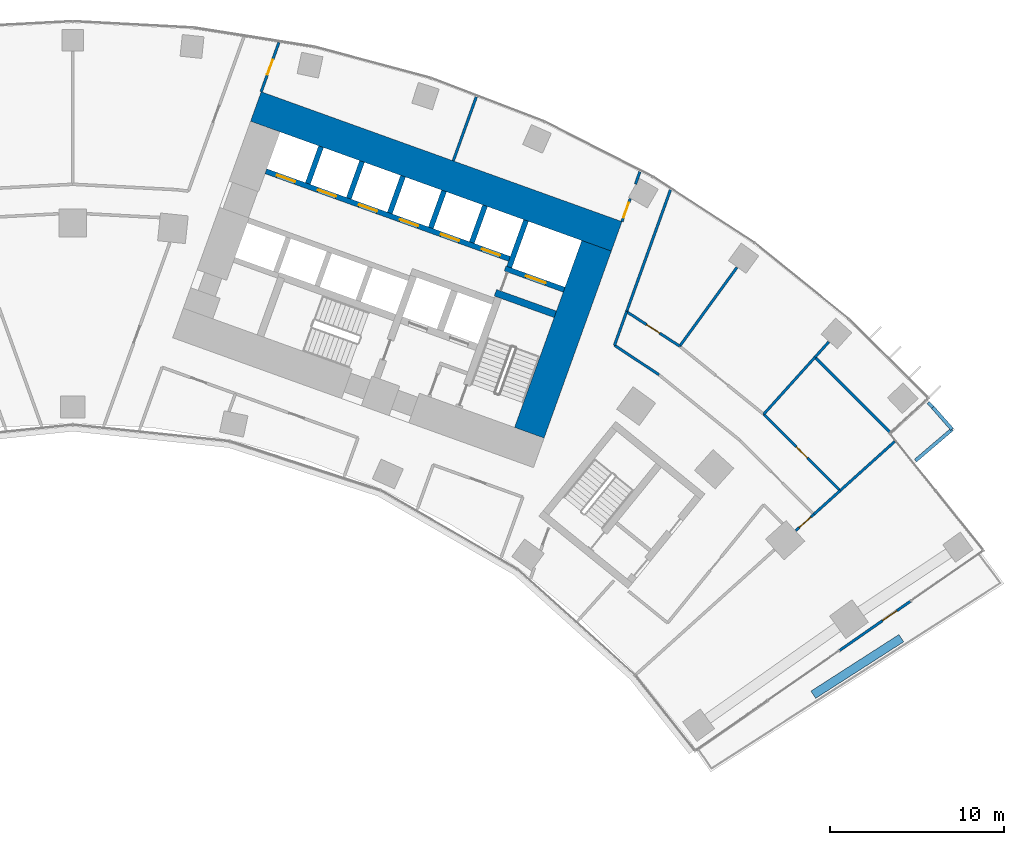
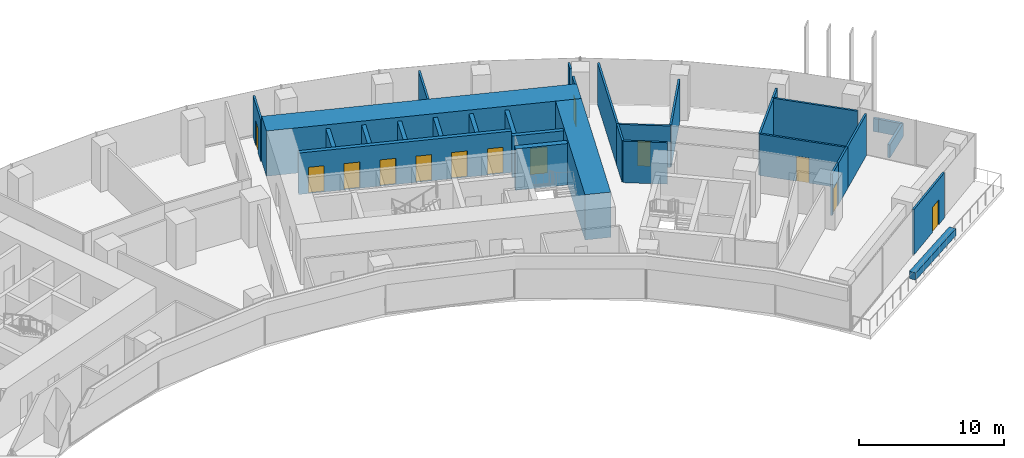
# One storey, part 18 of 21: 32 walls, 13 doors, 13 openings.
"""IFC4 building model written with IfcOpenShell, lengths in metres."""

from ifc_helpers import new_model, si_unit, direction, frame, frame_2d, origin, origin_2d, place, context, subcontext, project, spatial, rectangle, extrude, material, layer, layer_set, type_object, element, fill, save


model = new_model("IFC4")

# Units and contexts
model_context = context("Model", 3, precision=1e-05, world=origin(), true_north=direction((0.0, 1.0)))
body_context = subcontext(model_context, "Body", "Model", "MODEL_VIEW")
ifc_project = project(units=[si_unit("LENGTHUNIT", "METRE"), si_unit("AREAUNIT", "SQUARE_METRE"), si_unit("VOLUMEUNIT", "CUBIC_METRE"), si_unit("PLANEANGLEUNIT", "RADIAN"), si_unit("MASSUNIT", "GRAM", prefix="KILO")], contexts=[model_context])

# Site, building, storey
site_placement = place(None, origin())
site = spatial("IfcSite", under=ifc_project, at=site_placement, CompositionType="ELEMENT")
building_placement = place(site_placement, origin())
building = spatial("IfcBuilding", under=site, at=building_placement, Name="Stone Belt Terrace Tower", CompositionType="ELEMENT")
storey_placement = place(building_placement, frame((0.0, 0.0, 56.60009765625)))
storey = spatial("IfcBuildingStorey", under=building, at=storey_placement, Name="L13", CompositionType="ELEMENT", Elevation=56.60009765625)

# Wall, opening, door
ifc_material_1 = material(Name="Terracotta coloured glazed ceramic", Category="masonry")
ifc_layer_1 = layer(ifc_material_1, 0.14990234375)
ifc_layer_set_1 = layer_set([ifc_layer_1], Name="Ceramic rain-screen wall 150")
wall_type_1 = type_object("IfcWallType", Name="Ceramic rain-screen wall 150", PredefinedType="SOLIDWALL", material=ifc_layer_set_1)
wall_1_placement = place(storey_placement, frame((44.00537109375, 30.479248046875, 0.0), z_axis=(0.0, 0.0, 1.0), x_axis=(0.821283771249, 0.570519909454, 0.0)))
wall_1 = element("IfcWall", 1, at=wall_1_placement, inside=storey, type_object=wall_type_1, Name="Door wall L13", PredefinedType="SOLIDWALL", context=body_context, shape_type="SweptSolid", body=[
    extrude(rectangle(XDim=4.93994140625, YDim=0.14990234375, at=frame_2d((2.469970703125, 0.0))), origin(), (0.0, 0.0, 1.0), 3.7998046875),
])
opening_1_placement = place(wall_1_placement, frame((3.0, 0.0, 0.0)))
opening_1 = element("IfcOpeningElement", 2, at=opening_1_placement, cuts=wall_1, Name="Opening L13-E01", PredefinedType="OPENING", context=body_context, shape_type="SweptSolid", body=[
    extrude(rectangle(XDim=1.0, YDim=2.10009765625, at=frame_2d((0.5, 1.050048828125))), frame((0.0, 0.0849609375, 0.0), z_axis=(0.0, -1.0, 0.0), x_axis=(1.0, 0.0, 0.0)), (0.0, 0.0, 1.0), 0.169921875),
])
ifc_material_2 = material(Name="Anodised aluminium glazed door", Category="aluminium")
door_type_1 = type_object("IfcDoorType", Name="Terrace door 1000 x 2100", OperationType="NOTDEFINED", PredefinedType="DOOR", material=ifc_material_2)
door_1_placement = place(opening_1_placement, origin())
door_1 = element("IfcDoor", 3, at=door_1_placement, inside=storey, type_object=door_type_1, Name="Terrace door L13", OperationType="SINGLE_SWING_RIGHT", OverallHeight=2.10009765625, OverallWidth=1.0, PredefinedType="DOOR", context=body_context, shape_type="SweptSolid", body=[
    extrude(rectangle(XDim=1.0, YDim=2.10009765625, at=frame_2d((0.5, 1.050048828125))), frame((0.0, 0.02490234375, 0.0), z_axis=(0.0, -1.0, 0.0), x_axis=(1.0, 0.0, 0.0)), (0.0, 0.0, 1.0), 0.050048828125),
])
fill(opening_1, door_1)

# Walls
ifc_material_3 = material(Name="Concrete B80", Category="concrete")
ifc_layer_2 = layer(ifc_material_3, 1.800048828125)
ifc_layer_set_2 = layer_set([ifc_layer_2], Name="Core wall 1800 B80")
wall_type_2 = type_object("IfcWallType", Name="Core wall 1800 B80", PredefinedType="SHEAR", material=ifc_layer_set_2)
wall_2_placement = place(storey_placement, frame((10.509033203125, 61.685546875, 0.0), z_axis=(0.0, 0.0, 1.0), x_axis=(0.940922914687, -0.338620833112, 0.0)))
element("IfcWall", 4, at=wall_2_placement, inside=storey, type_object=wall_type_2, Name="Core B wall convex L13", PredefinedType="SHEAR", context=body_context, shape_type="SweptSolid", body=[
    extrude(rectangle(XDim=22.000244140625, YDim=1.800048828125, at=frame_2d((11.0, 0.0))), origin(), (0.0, 0.0, 1.0), 3.7998046875),
])
wall_3_placement = place(storey_placement, frame((26.197509765625, 42.96728515625, 0.0), z_axis=(0.0, 0.0, 1.0), x_axis=(0.338625431531, 0.940921259788, 0.0)))
element("IfcWall", 5, at=wall_3_placement, inside=storey, type_object=wall_type_2, Name="Core B wall end_b L13", PredefinedType="SHEAR", context=body_context, shape_type="SweptSolid", body=[
    extrude(rectangle(XDim=11.400146484375, YDim=1.800048828125, at=frame_2d((5.7001953125, 0.0))), origin(), (0.0, 0.0, 1.0), 3.7998046875),
])

# Wall, opening, door
ifc_layer_3 = layer(ifc_material_3, 0.300048828125)
ifc_layer_set_3 = layer_set([ifc_layer_3], Name="Lift shaft wall 300")
wall_type_3 = type_object("IfcWallType", Name="Lift shaft wall 300", PredefinedType="SHEAR", material=ifc_layer_set_3)
wall_4_placement = place(storey_placement, frame((28.195068359375, 51.17578125, 0.0), z_axis=(0.0, 0.0, 1.0), x_axis=(-0.940901243567, 0.338681044427, 0.0)))
wall_4 = element("IfcWall", 6, at=wall_4_placement, inside=storey, type_object=wall_type_3, Name="Core B wall", PredefinedType="SHEAR", context=body_context, shape_type="SweptSolid", body=[
    extrude(rectangle(XDim=3.599853515625, YDim=0.300048828125, at=frame_2d((1.7998046875, 0.0))), origin(), (0.0, 0.0, 1.0), 3.47998046875),
])
opening_2_placement = place(wall_4_placement, frame((1.1201171875, 0.0, 0.0)))
opening_2 = element("IfcOpeningElement", 7, at=opening_2_placement, cuts=wall_4, Name="Opening L13-LD18", PredefinedType="OPENING", context=body_context, shape_type="SweptSolid", body=[
    extrude(rectangle(XDim=1.199951171875, YDim=2.199951171875, at=frame_2d((0.60009765625, 1.10009765625))), frame((0.0, 0.159912109375, 0.0), z_axis=(0.0, -1.0, 0.0), x_axis=(1.0, 0.0, 0.0)), (0.0, 0.0, 1.0), 0.320068359375),
])
ifc_material_4 = material(Name="Stainless steel door leaf", Category="steel")
door_type_2 = type_object("IfcDoorType", Name="Landing door 1200", OperationType="SLIDING_TO_LEFT", PredefinedType="DOOR", material=ifc_material_4)
door_2_placement = place(opening_2_placement, origin())
door_2 = element("IfcDoor", 8, at=door_2_placement, inside=storey, type_object=door_type_2, Name="Landing door SV1 core B", OperationType="SLIDING_TO_LEFT", OverallHeight=2.199951171875, OverallWidth=1.199951171875, PredefinedType="DOOR", context=body_context, shape_type="SweptSolid", body=[
    extrude(rectangle(XDim=1.199951171875, YDim=2.199951171875, at=frame_2d((0.60009765625, 1.10009765625))), frame((0.0, 0.02490234375, 0.0), z_axis=(0.0, -1.0, 0.0), x_axis=(1.0, 0.0, 0.0)), (0.0, 0.0, 1.0), 0.050048828125),
])
fill(opening_2, door_2)

# Wall
wall_5_placement = place(storey_placement, frame((25.046875, 52.46826171875, 0.0), z_axis=(0.0, 0.0, 1.0), x_axis=(0.338549588058, 0.940948551423, 0.0)))
element("IfcWall", 9, at=wall_5_placement, inside=storey, type_object=wall_type_3, Name="Core B wall", PredefinedType="SHEAR", context=body_context, shape_type="SweptSolid", body=[
    extrude(rectangle(XDim=2.849853515625, YDim=0.300048828125, at=frame_2d((1.4248046875, 0.0))), origin(), (0.0, 0.0, 1.0), 3.47998046875),
])

# Wall, openings, doors
wall_6_placement = place(storey_placement, frame((25.05810546875, 52.9423828125, 0.0), z_axis=(0.0, 0.0, 1.0), x_axis=(-0.940918215764, 0.338633889685, 0.0)))
wall_6 = element("IfcWall", 10, at=wall_6_placement, inside=storey, type_object=wall_type_3, Name="Core B wall", PredefinedType="SHEAR", context=body_context, shape_type="SweptSolid", body=[
    extrude(rectangle(XDim=14.850341796875, YDim=0.300048828125, at=frame_2d((7.42529296875, 0.0))), origin(), (0.0, 0.0, 1.0), 3.47998046875),
])
opening_3_placement = place(wall_6_placement, frame((0.570068359375, 0.0, 0.0)))
opening_3 = element("IfcOpeningElement", 11, at=opening_3_placement, cuts=wall_6, Name="Opening L13-LD10", PredefinedType="OPENING", context=body_context, shape_type="SweptSolid", body=[
    extrude(rectangle(XDim=1.10009765625, YDim=2.199951171875, at=frame_2d((0.550048828125, 1.10009765625))), frame((0.0, 0.159912109375, 0.0), z_axis=(0.0, -1.0, 0.0), x_axis=(1.0, 0.0, 0.0)), (0.0, 0.0, 1.0), 0.320068359375),
])
opening_4_placement = place(wall_6_placement, frame((3.070068359375, 0.0, 0.0)))
opening_4 = element("IfcOpeningElement", 12, at=opening_4_placement, cuts=wall_6, Name="Opening L13-LD11", PredefinedType="OPENING", context=body_context, shape_type="SweptSolid", body=[
    extrude(rectangle(XDim=1.10009765625, YDim=2.199951171875, at=frame_2d((0.550048828125, 1.10009765625))), frame((0.0, 0.159912109375, 0.0), z_axis=(0.0, -1.0, 0.0), x_axis=(1.0, 0.0, 0.0)), (0.0, 0.0, 1.0), 0.320068359375),
])
opening_5_placement = place(wall_6_placement, frame((5.570068359375, 0.0, 0.0)))
opening_5 = element("IfcOpeningElement", 13, at=opening_5_placement, cuts=wall_6, Name="Opening L13-LD12", PredefinedType="OPENING", context=body_context, shape_type="SweptSolid", body=[
    extrude(rectangle(XDim=1.10009765625, YDim=2.199951171875, at=frame_2d((0.550048828125, 1.10009765625))), frame((0.0, 0.159912109375, 0.0), z_axis=(0.0, -1.0, 0.0), x_axis=(1.0, 0.0, 0.0)), (0.0, 0.0, 1.0), 0.320068359375),
])
opening_6_placement = place(wall_6_placement, frame((8.070068359375, 0.0, 0.0)))
opening_6 = element("IfcOpeningElement", 14, at=opening_6_placement, cuts=wall_6, Name="Opening L13-LD13", PredefinedType="OPENING", context=body_context, shape_type="SweptSolid", body=[
    extrude(rectangle(XDim=1.10009765625, YDim=2.199951171875, at=frame_2d((0.550048828125, 1.10009765625))), frame((0.0, 0.159912109375, 0.0), z_axis=(0.0, -1.0, 0.0), x_axis=(1.0, 0.0, 0.0)), (0.0, 0.0, 1.0), 0.320068359375),
])
opening_7_placement = place(wall_6_placement, frame((10.570068359375, 0.0, 0.0)))
opening_7 = element("IfcOpeningElement", 15, at=opening_7_placement, cuts=wall_6, Name="Opening L13-LD14", PredefinedType="OPENING", context=body_context, shape_type="SweptSolid", body=[
    extrude(rectangle(XDim=1.10009765625, YDim=2.199951171875, at=frame_2d((0.550048828125, 1.10009765625))), frame((0.0, 0.159912109375, 0.0), z_axis=(0.0, -1.0, 0.0), x_axis=(1.0, 0.0, 0.0)), (0.0, 0.0, 1.0), 0.320068359375),
])
opening_8_placement = place(wall_6_placement, frame((13.070068359375, 0.0, 0.0)))
opening_8 = element("IfcOpeningElement", 16, at=opening_8_placement, cuts=wall_6, Name="Opening L13-LD15", PredefinedType="OPENING", context=body_context, shape_type="SweptSolid", body=[
    extrude(rectangle(XDim=1.10009765625, YDim=2.199951171875, at=frame_2d((0.550048828125, 1.10009765625))), frame((0.0, 0.159912109375, 0.0), z_axis=(0.0, -1.0, 0.0), x_axis=(1.0, 0.0, 0.0)), (0.0, 0.0, 1.0), 0.320068359375),
])
door_type_3 = type_object("IfcDoorType", Name="Landing door 1100", OperationType="SLIDING_TO_LEFT", PredefinedType="DOOR", material=ifc_material_4)
door_3_placement = place(opening_3_placement, origin())
door_3 = element("IfcDoor", 17, at=door_3_placement, inside=storey, type_object=door_type_3, Name="Landing door LR1 core B", OperationType="SLIDING_TO_LEFT", OverallHeight=2.199951171875, OverallWidth=1.10009765625, PredefinedType="DOOR", context=body_context, shape_type="SweptSolid", body=[
    extrude(rectangle(XDim=1.10009765625, YDim=2.199951171875, at=frame_2d((0.550048828125, 1.10009765625))), frame((0.0, 0.02490234375, 0.0), z_axis=(0.0, -1.0, 0.0), x_axis=(1.0, 0.0, 0.0)), (0.0, 0.0, 1.0), 0.050048828125),
])
fill(opening_3, door_3)
door_4_placement = place(opening_4_placement, origin())
door_4 = element("IfcDoor", 18, at=door_4_placement, inside=storey, type_object=door_type_3, Name="Landing door LR2 core B", OperationType="SLIDING_TO_LEFT", OverallHeight=2.199951171875, OverallWidth=1.10009765625, PredefinedType="DOOR", context=body_context, shape_type="SweptSolid", body=[
    extrude(rectangle(XDim=1.10009765625, YDim=2.199951171875, at=frame_2d((0.550048828125, 1.10009765625))), frame((0.0, 0.02490234375, 0.0), z_axis=(0.0, -1.0, 0.0), x_axis=(1.0, 0.0, 0.0)), (0.0, 0.0, 1.0), 0.050048828125),
])
fill(opening_4, door_4)
door_5_placement = place(opening_5_placement, origin())
door_5 = element("IfcDoor", 19, at=door_5_placement, inside=storey, type_object=door_type_3, Name="Landing door LR3 core B", OperationType="SLIDING_TO_LEFT", OverallHeight=2.199951171875, OverallWidth=1.10009765625, PredefinedType="DOOR", context=body_context, shape_type="SweptSolid", body=[
    extrude(rectangle(XDim=1.10009765625, YDim=2.199951171875, at=frame_2d((0.550048828125, 1.10009765625))), frame((0.0, 0.02490234375, 0.0), z_axis=(0.0, -1.0, 0.0), x_axis=(1.0, 0.0, 0.0)), (0.0, 0.0, 1.0), 0.050048828125),
])
fill(opening_5, door_5)
door_6_placement = place(opening_6_placement, origin())
door_6 = element("IfcDoor", 20, at=door_6_placement, inside=storey, type_object=door_type_3, Name="Landing door LR4 core B", OperationType="SLIDING_TO_LEFT", OverallHeight=2.199951171875, OverallWidth=1.10009765625, PredefinedType="DOOR", context=body_context, shape_type="SweptSolid", body=[
    extrude(rectangle(XDim=1.10009765625, YDim=2.199951171875, at=frame_2d((0.550048828125, 1.10009765625))), frame((0.0, 0.02490234375, 0.0), z_axis=(0.0, -1.0, 0.0), x_axis=(1.0, 0.0, 0.0)), (0.0, 0.0, 1.0), 0.050048828125),
])
fill(opening_6, door_6)
door_7_placement = place(opening_7_placement, origin())
door_7 = element("IfcDoor", 21, at=door_7_placement, inside=storey, type_object=door_type_3, Name="Landing door LR5 core B", OperationType="SLIDING_TO_LEFT", OverallHeight=2.199951171875, OverallWidth=1.10009765625, PredefinedType="DOOR", context=body_context, shape_type="SweptSolid", body=[
    extrude(rectangle(XDim=1.10009765625, YDim=2.199951171875, at=frame_2d((0.550048828125, 1.10009765625))), frame((0.0, 0.02490234375, 0.0), z_axis=(0.0, -1.0, 0.0), x_axis=(1.0, 0.0, 0.0)), (0.0, 0.0, 1.0), 0.050048828125),
])
fill(opening_7, door_7)
door_8_placement = place(opening_8_placement, origin())
door_8 = element("IfcDoor", 22, at=door_8_placement, inside=storey, type_object=door_type_3, Name="Landing door LR6 core B", OperationType="SLIDING_TO_LEFT", OverallHeight=2.199951171875, OverallWidth=1.10009765625, PredefinedType="DOOR", context=body_context, shape_type="SweptSolid", body=[
    extrude(rectangle(XDim=1.10009765625, YDim=2.199951171875, at=frame_2d((0.550048828125, 1.10009765625))), frame((0.0, 0.02490234375, 0.0), z_axis=(0.0, -1.0, 0.0), x_axis=(1.0, 0.0, 0.0)), (0.0, 0.0, 1.0), 0.050048828125),
])
fill(opening_8, door_8)

# Walls
wall_7_placement = place(storey_placement, frame((22.897705078125, 53.87939453125, 0.0), z_axis=(0.0, 0.0, 1.0), x_axis=(0.338535034312, 0.940953787677, 0.0)))
element("IfcWall", 23, at=wall_7_placement, inside=storey, type_object=wall_type_3, Name="Core B wall", PredefinedType="SHEAR", context=body_context, shape_type="SweptSolid", body=[
    extrude(rectangle(XDim=2.25, YDim=0.300048828125, at=frame_2d((1.125, 0.0))), origin(), (0.0, 0.0, 1.0), 3.47998046875),
])
wall_8_placement = place(storey_placement, frame((20.54541015625, 54.72607421875, 0.0), z_axis=(0.0, 0.0, 1.0), x_axis=(0.338569601369, 0.940941350472, 0.0)))
element("IfcWall", 24, at=wall_8_placement, inside=storey, type_object=wall_type_3, Name="Core B wall", PredefinedType="SHEAR", context=body_context, shape_type="SweptSolid", body=[
    extrude(rectangle(XDim=2.249755859375, YDim=0.300048828125, at=frame_2d((1.125, 0.0))), origin(), (0.0, 0.0, 1.0), 3.47998046875),
])
wall_9_placement = place(storey_placement, frame((18.193115234375, 55.572509765625, 0.0), z_axis=(0.0, 0.0, 1.0), x_axis=(0.338535034312, 0.940953787677, 0.0)))
element("IfcWall", 25, at=wall_9_placement, inside=storey, type_object=wall_type_3, Name="Core B wall", PredefinedType="SHEAR", context=body_context, shape_type="SweptSolid", body=[
    extrude(rectangle(XDim=2.25, YDim=0.300048828125, at=frame_2d((1.125, 0.0))), origin(), (0.0, 0.0, 1.0), 3.47998046875),
])
wall_10_placement = place(storey_placement, frame((15.8408203125, 56.419189453125, 0.0), z_axis=(0.0, 0.0, 1.0), x_axis=(0.338569601369, 0.940941350472, 0.0)))
element("IfcWall", 26, at=wall_10_placement, inside=storey, type_object=wall_type_3, Name="Core B wall", PredefinedType="SHEAR", context=body_context, shape_type="SweptSolid", body=[
    extrude(rectangle(XDim=2.249755859375, YDim=0.300048828125, at=frame_2d((1.125, 0.0))), origin(), (0.0, 0.0, 1.0), 3.47998046875),
])
wall_11_placement = place(storey_placement, frame((13.48828125, 57.265625, 0.0), z_axis=(0.0, 0.0, 1.0), x_axis=(0.338631098537, 0.940919220286, 0.0)))
element("IfcWall", 27, at=wall_11_placement, inside=storey, type_object=wall_type_3, Name="Core B wall", PredefinedType="SHEAR", context=body_context, shape_type="SweptSolid", body=[
    extrude(rectangle(XDim=2.250244140625, YDim=0.300048828125, at=frame_2d((1.125, 0.0))), origin(), (0.0, 0.0, 1.0), 3.47998046875),
])

# Wall, opening, door
ifc_material_5 = material(Name="Gypsum board partition")
ifc_layer_4 = layer(ifc_material_5, 0.14990234375)
ifc_layer_set_4 = layer_set([ifc_layer_4], Name="PARTITION 150 EI 60")
wall_type_4 = type_object("IfcWallType", Name="PARTITION 150 EI 60", PredefinedType="PARTITIONING", material=ifc_layer_set_4)
wall_12_placement = place(storey_placement, frame((11.831787109375, 65.361083984375, 0.0), z_axis=(0.0, 0.0, 1.0), x_axis=(-0.338526810165, -0.940956746508, 0.0)))
wall_12 = element("IfcWall", 28, at=wall_12_placement, inside=storey, type_object=wall_type_4, Name="L13/wall/i020", PredefinedType="PARTITIONING", context=body_context, shape_type="SweptSolid", body=[
    extrude(rectangle(XDim=3.006591796875, YDim=0.14990234375, at=frame_2d((1.50341796875, 0.0))), origin(), (0.0, 0.0, 1.0), 3.47998046875),
])
opening_9_placement = place(wall_12_placement, frame((1.05322265625, 0.0, 0.0)))
opening_9 = element("IfcOpeningElement", 29, at=opening_9_placement, cuts=wall_12, Name="Opening D-A4-10", PredefinedType="OPENING", context=body_context, shape_type="SweptSolid", body=[
    extrude(rectangle(XDim=0.89990234375, YDim=2.10009765625, at=frame_2d((0.449951171875, 1.050048828125))), frame((0.0, 0.0849609375, 0.0), z_axis=(0.0, -1.0, 0.0), x_axis=(1.0, 0.0, 0.0)), (0.0, 0.0, 1.0), 0.169921875),
])
ifc_material_6 = material(Name="Timber door leaf", Category="wood")
door_type_4 = type_object("IfcDoorType", Name="OFFICE DOOR 900 X 2100", OperationType="NOTDEFINED", PredefinedType="DOOR", material=ifc_material_6)
door_9_placement = place(opening_9_placement, origin())
door_9 = element("IfcDoor", 30, at=door_9_placement, inside=storey, type_object=door_type_4, Name="L13/door/i10", OperationType="SINGLE_SWING_RIGHT", OverallHeight=2.10009765625, OverallWidth=0.89990234375, PredefinedType="DOOR", context=body_context, shape_type="SweptSolid", body=[
    extrude(rectangle(XDim=0.89990234375, YDim=2.10009765625, at=frame_2d((0.449951171875, 1.050048828125))), frame((0.0, 0.02490234375, 0.0), z_axis=(0.0, -1.0, 0.0), x_axis=(1.0, 0.0, 0.0)), (0.0, 0.0, 1.0), 0.050048828125),
])
fill(opening_9, door_9)

wall_13_placement = place(storey_placement, frame((31.513916015625, 55.0830078125, 0.0), z_axis=(0.0, 0.0, 1.0), x_axis=(0.338861945182, 0.940836107995, 0.0)))
wall_13 = element("IfcWall", 31, at=wall_13_placement, inside=storey, type_object=wall_type_4, Name="L13/wall/i024", PredefinedType="PARTITIONING", context=body_context, shape_type="SweptSolid", body=[
    extrude(rectangle(XDim=1.3955078125, YDim=0.14990234375, at=frame_2d((0.69775390625, 0.0))), origin(), (0.0, 0.0, 1.0), 3.47998046875),
])
opening_10_placement = place(wall_13_placement, frame((0.247802734375, 0.0, 0.0)))
opening_10 = element("IfcOpeningElement", 32, at=opening_10_placement, cuts=wall_13, Name="Opening D-A4-11", PredefinedType="OPENING", context=body_context, shape_type="SweptSolid", body=[
    extrude(rectangle(XDim=0.89990234375, YDim=2.10009765625, at=frame_2d((0.449951171875, 1.050048828125))), frame((0.0, 0.0849609375, 0.0), z_axis=(0.0, -1.0, 0.0), x_axis=(1.0, 0.0, 0.0)), (0.0, 0.0, 1.0), 0.169921875),
])
door_10_placement = place(opening_10_placement, origin())
door_10 = element("IfcDoor", 33, at=door_10_placement, inside=storey, type_object=door_type_4, Name="L13/door/i11", OperationType="SINGLE_SWING_RIGHT", OverallHeight=2.10009765625, OverallWidth=0.89990234375, PredefinedType="DOOR", context=body_context, shape_type="SweptSolid", body=[
    extrude(rectangle(XDim=0.89990234375, YDim=2.10009765625, at=frame_2d((0.449951171875, 1.050048828125))), frame((0.0, 0.02490234375, 0.0), z_axis=(0.0, -1.0, 0.0), x_axis=(1.0, 0.0, 0.0)), (0.0, 0.0, 1.0), 0.050048828125),
])
fill(opening_10, door_10)

# Walls
wall_14_placement = place(storey_placement, frame((32.290283203125, 57.238525390625, 0.0), z_axis=(0.0, 0.0, 1.0), x_axis=(0.338960201827, 0.940800712998, 0.0)))
element("IfcWall", 34, at=wall_14_placement, inside=storey, type_object=wall_type_4, Name="L13/wall/i025", PredefinedType="PARTITIONING", context=body_context, shape_type="SweptSolid", body=[
    extrude(rectangle(XDim=0.754150390625, YDim=0.14990234375, at=frame_2d((0.376953125, 0.0))), origin(), (0.0, 0.0, 1.0), 3.47998046875),
])
wall_15_placement = place(storey_placement, frame((31.781982421875, 49.922119140625, 0.0), z_axis=(0.0, 0.0, 1.0), x_axis=(-0.338669131868, -0.940905531454, 0.0)))
element("IfcWall", 35, at=wall_15_placement, inside=storey, type_object=wall_type_4, Name="L13/wall/i028", PredefinedType="PARTITIONING", context=body_context, shape_type="SweptSolid", body=[
    extrude(rectangle(XDim=2.06103515625, YDim=0.14990234375, at=frame_2d((1.030517578125, 0.0))), origin(), (0.0, 0.0, 1.0), 3.47998046875),
])
wall_16_placement = place(storey_placement, frame((34.298095703125, 56.91015625, 0.0), z_axis=(0.0, 0.0, 1.0), x_axis=(-0.338711334353, -0.94089034004, 0.0)))
element("IfcWall", 36, at=wall_16_placement, inside=storey, type_object=wall_type_4, Name="L13/wall/i029", PredefinedType="PARTITIONING", context=body_context, shape_type="SweptSolid", body=[
    extrude(rectangle(XDim=7.43994140625, YDim=0.14990234375, at=frame_2d((3.719970703125, 0.0))), origin(), (0.0, 0.0, 1.0), 3.47998046875),
])
wall_17_placement = place(storey_placement, frame((23.15673828125, 62.244140625, 0.0), z_axis=(0.0, 0.0, 1.0), x_axis=(-0.338480536661, -0.940973392983, 0.0)))
element("IfcWall", 37, at=wall_17_placement, inside=storey, type_object=wall_type_4, Name="L13/wall/i036", PredefinedType="PARTITIONING", context=body_context, shape_type="SweptSolid", body=[
    extrude(rectangle(XDim=3.907958984375, YDim=0.14990234375, at=frame_2d((1.9541015625, 0.0))), origin(), (0.0, 0.0, 1.0), 3.47998046875),
])

# Wall, opening, door
wall_18_placement = place(storey_placement, frame((42.530029296875, 38.294921875, 0.0), z_axis=(0.0, 0.0, 1.0), x_axis=(-0.742938582599, -0.669359591316, 0.0)))
wall_18 = element("IfcWall", 38, at=wall_18_placement, inside=storey, type_object=wall_type_4, Name="L13/wall/i059", PredefinedType="PARTITIONING", context=body_context, shape_type="SweptSolid", body=[
    extrude(rectangle(XDim=1.400146484375, YDim=0.14990234375, at=frame_2d((0.7001953125, 0.0))), origin(), (0.0, 0.0, 1.0), 3.47998046875),
])
opening_11_placement = place(wall_18_placement, frame((0.250244140625, 0.0, 0.0)))
opening_11 = element("IfcOpeningElement", 39, at=opening_11_placement, cuts=wall_18, Name="Opening D-A4-21", PredefinedType="OPENING", context=body_context, shape_type="SweptSolid", body=[
    extrude(rectangle(XDim=0.89990234375, YDim=2.10009765625, at=frame_2d((0.449951171875, 1.050048828125))), frame((0.0, 0.0849609375, 0.0), z_axis=(0.0, -1.0, 0.0), x_axis=(1.0, 0.0, 0.0)), (0.0, 0.0, 1.0), 0.169921875),
])
ifc_material_7 = material(Name="Timber fire door leaf", Category="wood")
door_type_5 = type_object("IfcDoorType", Name="TENANCY ENTRANCE DOOR 900 X 2100", OperationType="NOTDEFINED", PredefinedType="DOOR", material=ifc_material_7)
door_11_placement = place(opening_11_placement, origin())
door_11 = element("IfcDoor", 40, at=door_11_placement, inside=storey, type_object=door_type_5, Name="L13/door/i21", OperationType="SINGLE_SWING_RIGHT", OverallHeight=2.10009765625, OverallWidth=0.89990234375, PredefinedType="DOOR", context=body_context, shape_type="SweptSolid", body=[
    extrude(rectangle(XDim=0.89990234375, YDim=2.10009765625, at=frame_2d((0.449951171875, 1.050048828125))), frame((0.0, 0.02490234375, 0.0), z_axis=(0.0, -1.0, 0.0), x_axis=(1.0, 0.0, 0.0)), (0.0, 0.0, 1.0), 0.050048828125),
])
fill(opening_11, door_11)

# Walls
wall_19_placement = place(storey_placement, frame((42.52197265625, 38.287109375, 0.0), z_axis=(0.0, 0.0, 1.0), x_axis=(0.743252398614, 0.66901111497, 0.0)))
element("IfcWall", 41, at=wall_19_placement, inside=storey, type_object=wall_type_4, Name="L13/wall/i061", PredefinedType="PARTITIONING", context=body_context, shape_type="SweptSolid", body=[
    extrude(rectangle(XDim=2.03564453125, YDim=0.14990234375, at=frame_2d((1.017822265625, 0.0))), origin(), (0.0, 0.0, 1.0), 3.47998046875),
])
wall_20_placement = place(storey_placement, frame((44.02587890625, 39.64208984375, 0.0), z_axis=(0.0, 0.0, 1.0), x_axis=(0.743199184027, 0.669070230142, 0.0)))
element("IfcWall", 42, at=wall_20_placement, inside=storey, type_object=wall_type_4, Name="L13/wall/i062", PredefinedType="PARTITIONING", context=body_context, shape_type="SweptSolid", body=[
    extrude(rectangle(XDim=4.218994140625, YDim=0.14990234375, at=frame_2d((2.109375, 0.0))), origin(), (0.0, 0.0, 1.0), 3.47998046875),
])
wall_21_placement = place(storey_placement, frame((31.0859375, 47.988037109375, 0.0), z_axis=(0.0, 0.0, 1.0), x_axis=(0.833238850842, -0.552913209688, 0.0)))
element("IfcWall", 43, at=wall_21_placement, inside=storey, type_object=wall_type_4, Name="L13/wall/i064", PredefinedType="PARTITIONING", context=body_context, shape_type="SweptSolid", body=[
    extrude(rectangle(XDim=3.060302734375, YDim=0.14990234375, at=frame_2d((1.5302734375, 0.0))), origin(), (0.0, 0.0, 1.0), 3.47998046875),
])

# Wall, opening, door
wall_22_placement = place(storey_placement, frame((31.780029296875, 49.916015625, 0.0), z_axis=(0.0, 0.0, 1.0), x_axis=(0.838179507416, -0.545394456653, 0.0)))
wall_22 = element("IfcWall", 44, at=wall_22_placement, inside=storey, type_object=wall_type_4, Name="L13/wall/i070", PredefinedType="PARTITIONING", context=body_context, shape_type="SweptSolid", body=[
    extrude(rectangle(XDim=3.634033203125, YDim=0.14990234375, at=frame_2d((1.81689453125, 0.0))), origin(), (0.0, 0.0, 1.0), 3.47998046875),
])
opening_12_placement = place(wall_22_placement, frame((1.366943359375, 0.0, 0.0)))
opening_12 = element("IfcOpeningElement", 45, at=opening_12_placement, cuts=wall_22, Name="Opening D-A4-25", PredefinedType="OPENING", context=body_context, shape_type="SweptSolid", body=[
    extrude(rectangle(XDim=0.89990234375, YDim=2.10009765625, at=frame_2d((0.449951171875, 1.050048828125))), frame((0.0, 0.0849609375, 0.0), z_axis=(0.0, -1.0, 0.0), x_axis=(1.0, 0.0, 0.0)), (0.0, 0.0, 1.0), 0.169921875),
])
door_12_placement = place(opening_12_placement, origin())
door_12 = element("IfcDoor", 46, at=door_12_placement, inside=storey, type_object=door_type_4, Name="L13/door/i25", OperationType="SINGLE_SWING_RIGHT", OverallHeight=2.10009765625, OverallWidth=0.89990234375, PredefinedType="DOOR", context=body_context, shape_type="SweptSolid", body=[
    extrude(rectangle(XDim=0.89990234375, YDim=2.10009765625, at=frame_2d((0.449951171875, 1.050048828125))), frame((0.0, 0.02490234375, 0.0), z_axis=(0.0, -1.0, 0.0), x_axis=(1.0, 0.0, 0.0)), (0.0, 0.0, 1.0), 0.050048828125),
])
fill(opening_12, door_12)

wall_23_placement = place(storey_placement, frame((39.64501953125, 44.031005859375, 0.0), z_axis=(0.0, 0.0, 1.0), x_axis=(0.707106781187, -0.707106781187, 0.0)))
wall_23 = element("IfcWall", 47, at=wall_23_placement, inside=storey, type_object=wall_type_4, Name="L13/wall/i072", PredefinedType="PARTITIONING", context=body_context, shape_type="SweptSolid", body=[
    extrude(rectangle(XDim=6.201416015625, YDim=0.14990234375, at=frame_2d((3.1005859375, 0.0))), origin(), (0.0, 0.0, 1.0), 3.47998046875),
])
opening_13_placement = place(wall_23_placement, frame((2.650634765625, 0.0, 0.0)))
opening_13 = element("IfcOpeningElement", 48, at=opening_13_placement, cuts=wall_23, Name="Opening D-A4-27", PredefinedType="OPENING", context=body_context, shape_type="SweptSolid", body=[
    extrude(rectangle(XDim=0.89990234375, YDim=2.10009765625, at=frame_2d((0.449951171875, 1.050048828125))), frame((0.0, 0.0849609375, 0.0), z_axis=(0.0, -1.0, 0.0), x_axis=(1.0, 0.0, 0.0)), (0.0, 0.0, 1.0), 0.169921875),
])
door_13_placement = place(opening_13_placement, origin())
door_13 = element("IfcDoor", 49, at=door_13_placement, inside=storey, type_object=door_type_4, Name="L13/door/i27", OperationType="SINGLE_SWING_RIGHT", OverallHeight=2.10009765625, OverallWidth=0.89990234375, PredefinedType="DOOR", context=body_context, shape_type="SweptSolid", body=[
    extrude(rectangle(XDim=0.89990234375, YDim=2.10009765625, at=frame_2d((0.449951171875, 1.050048828125))), frame((0.0, 0.02490234375, 0.0), z_axis=(0.0, -1.0, 0.0), x_axis=(1.0, 0.0, 0.0)), (0.0, 0.0, 1.0), 0.050048828125),
])
fill(opening_13, door_13)

# Walls
wall_24_placement = place(storey_placement, frame((38.1083984375, 52.45166015625, 0.0), z_axis=(0.0, 0.0, 1.0), x_axis=(-0.587815499828, -0.80899501739, 0.0)))
element("IfcWall", 50, at=wall_24_placement, inside=storey, type_object=wall_type_4, Name="L13/wall/i073", PredefinedType="PARTITIONING", context=body_context, shape_type="SweptSolid", body=[
    extrude(rectangle(XDim=5.584228515625, YDim=0.14990234375, at=frame_2d((2.7919921875, 0.0))), origin(), (0.0, 0.0, 1.0), 3.47998046875),
])
wall_25_placement = place(storey_placement, frame((42.593017578125, 47.304931640625, 0.0), z_axis=(0.0, 0.0, 1.0), x_axis=(-0.669148410698, -0.743128793992, 0.0)))
element("IfcWall", 51, at=wall_25_placement, inside=storey, type_object=wall_type_4, Name="L13/wall/i074", PredefinedType="PARTITIONING", context=body_context, shape_type="SweptSolid", body=[
    extrude(rectangle(XDim=4.405517578125, YDim=0.14990234375, at=frame_2d((2.20263671875, 0.0))), origin(), (0.0, 0.0, 1.0), 3.47998046875),
])
wall_26_placement = place(storey_placement, frame((43.3818359375, 48.181396484375, 0.0), z_axis=(0.0, 0.0, 1.0), x_axis=(-0.669440512964, -0.742865667266, 0.0)))
element("IfcWall", 52, at=wall_26_placement, inside=storey, type_object=wall_type_4, Name="L13/wall/i075", PredefinedType="PARTITIONING", context=body_context, shape_type="SweptSolid", body=[
    extrude(rectangle(XDim=1.1904296875, YDim=0.14990234375, at=frame_2d((0.59521484375, 0.0))), origin(), (0.0, 0.0, 1.0), 3.47998046875),
])
wall_27_placement = place(storey_placement, frame((42.589111328125, 47.301025390625, 0.0), z_axis=(0.0, 0.0, 1.0), x_axis=(0.707106781187, -0.707106781187, 0.0)))
element("IfcWall", 53, at=wall_27_placement, inside=storey, type_object=wall_type_4, Name="L13/wall/i076", PredefinedType="PARTITIONING", context=body_context, shape_type="SweptSolid", body=[
    extrude(rectangle(XDim=6.059326171875, YDim=0.14990234375, at=frame_2d((3.02978515625, 0.0))), origin(), (0.0, 0.0, 1.0), 3.47998046875),
])
ifc_material_8 = material(Name="Precast concrete C40/50", Category="concrete")
ifc_layer_5 = layer(ifc_material_8, 0.5)
ifc_layer_set_5 = layer_set([ifc_layer_5], Name="Planter box 500 x 600")
wall_type_5 = type_object("IfcWallType", Name="Planter box 500 x 600", PredefinedType="SOLIDWALL", material=ifc_layer_set_5)
wall_28_placement = place(storey_placement, frame((45.016845703125, 29.55859375, -0.000244140625), z_axis=(0.0, 0.0, 1.0), x_axis=(0.841470984807, 0.540302305869, 0.0)))
element("IfcWall", 54, at=wall_28_placement, inside=storey, type_object=wall_type_5, Name="PLANTER L13 1", PredefinedType="SOLIDWALL", context=body_context, shape_type="SweptSolid", body=[
    extrude(rectangle(XDim=6.0, YDim=0.5, at=origin_2d()), origin(), (0.0, 0.0, 1.0), 0.60009765625),
])
ifc_layer_6 = layer(ifc_material_8, 0.199951171875)
ifc_layer_set_6 = layer_set([ifc_layer_6], Name="Roof parapet 200 x 1100")
wall_type_6 = type_object("IfcWallType", Name="Roof parapet 200 x 1100", PredefinedType="PARAPET", material=ifc_layer_set_6)
wall_29_placement = place(storey_placement, frame((49.34619140625, 44.4287109375, 0.0), z_axis=(0.0, 0.0, 1.0), x_axis=(-0.707106781187, 0.707106781187, 0.0)))
element("IfcWall", 55, at=wall_29_placement, inside=storey, type_object=wall_type_6, Name="PARAPET L13", PredefinedType="PARAPET", context=body_context, shape_type="SweptSolid", body=[
    extrude(rectangle(XDim=0.38037109375, YDim=0.199951171875, at=frame_2d((0.190185546875, 0.0))), origin(), (0.0, 0.0, 1.0), 1.099853515625),
])
wall_30_placement = place(storey_placement, frame((48.3564453125, 41.371337890625, 0.0), z_axis=(0.0, 0.0, 1.0), x_axis=(0.760884051577, 0.648887864007, 0.0)))
element("IfcWall", 56, at=wall_30_placement, inside=storey, type_object=wall_type_6, Name="PARAPET L13", PredefinedType="PARAPET", context=body_context, shape_type="SweptSolid", body=[
    extrude(rectangle(XDim=2.759765625, YDim=0.199951171875, at=frame_2d((1.3798828125, 0.0))), origin(), (0.0, 0.0, 1.0), 1.099853515625),
])
wall_31_placement = place(storey_placement, frame((50.456298828125, 43.162109375, 0.0), z_axis=(0.0, 0.0, 1.0), x_axis=(-0.659120134619, 0.752037664043, 0.0)))
element("IfcWall", 57, at=wall_31_placement, inside=storey, type_object=wall_type_6, Name="PARAPET L13", PredefinedType="PARAPET", context=body_context, shape_type="SweptSolid", body=[
    extrude(rectangle(XDim=1.684326171875, YDim=0.199951171875, at=frame_2d((0.84228515625, 0.0))), origin(), (0.0, 0.0, 1.0), 1.099853515625),
])
ifc_layer_7 = layer(ifc_material_3, 0.39990234375)
ifc_layer_set_7 = layer_set([ifc_layer_7], Name="Stair enclosure wall 400")
wall_type_7 = type_object("IfcWallType", Name="Stair enclosure wall 400", PredefinedType="SHEAR", material=ifc_layer_set_7)
wall_32_placement = place(storey_placement, frame((27.687255859375, 49.764404296875, 0.0), z_axis=(0.0, 0.0, 1.0), x_axis=(-0.940918954884, 0.338631835981, 0.0)))
element("IfcWall", 58, at=wall_32_placement, inside=storey, type_object=wall_type_7, Name="Core B wall", PredefinedType="SHEAR", context=body_context, shape_type="SweptSolid", body=[
    extrude(rectangle(XDim=3.650146484375, YDim=0.39990234375, at=frame_2d((1.8251953125, 0.0))), origin(), (0.0, 0.0, 1.0), 3.47998046875),
])

save(model, "model.ifc")
